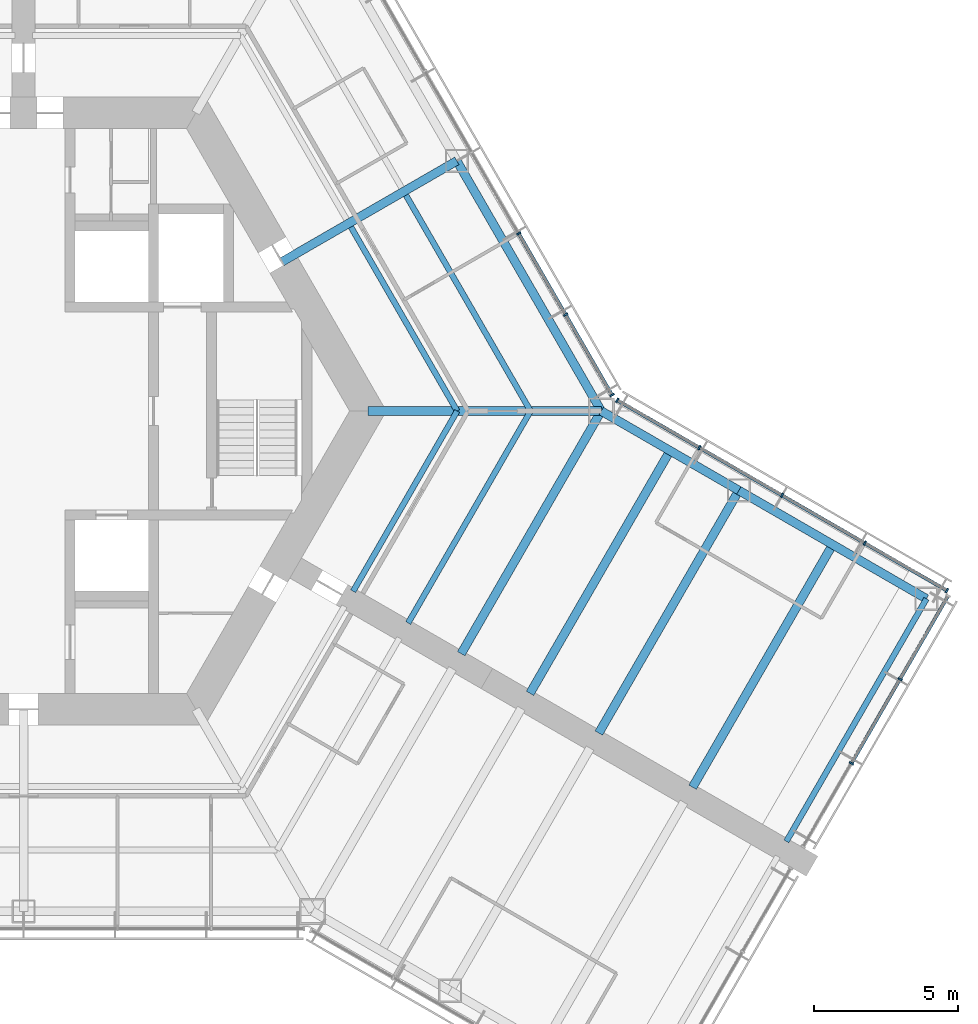
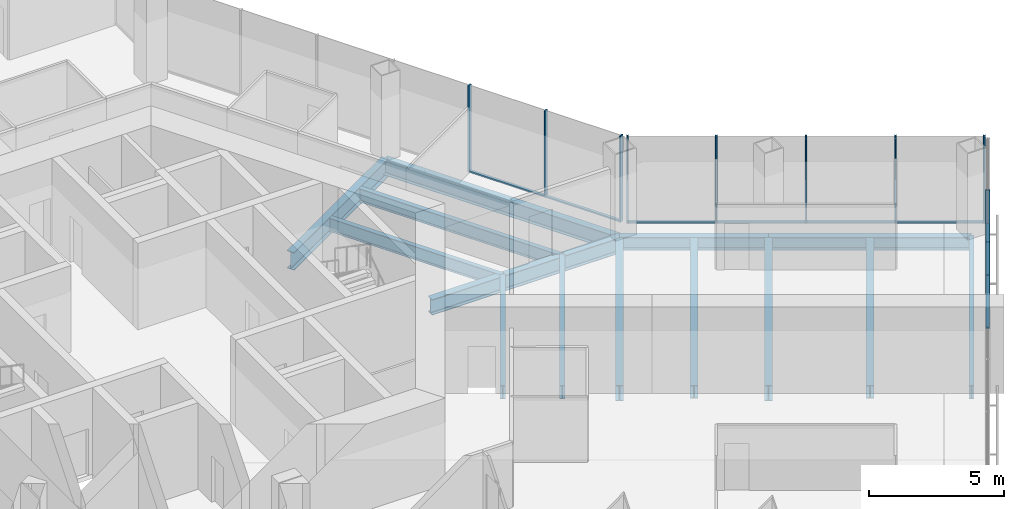
# One storey, part 6 of 19: 18 members, 14 beams, 3 elements without a shape of their own.
"""IFC4 building model written with IfcOpenShell, lengths in metres."""

import ifcopenshell
import ifcopenshell.guid

model = None  # the IFC model being written
_history = None  # IfcOwnerHistory: only IFC2X3 demands one
_inside = {}  # id of a spatial element -> (the spatial element, [elements in it])
_under = {}  # id of a project, library or spatial element -> (it, [spatial elements below it])
_declared = {}  # id of a project -> (the project, [libraries it declares])
_typed = {}  # id of a type object -> (the type object, [elements of that type])
_made_of = {}  # id of a material, layer set ... -> (it, [elements and type objects made of it])


def new_model(schema):
    """Start an empty IFC model of exactly this schema.

    Asked for "IFC4X3", IfcOpenShell would pick the latest addendum, in which some entities
    have other attributes; the version numbers below select the first issue.
    IFC2X3 requires an IfcOwnerHistory on every rooted entity: one is made here for all.
    """
    global model, _history
    if schema == "IFC4X3":
        model = ifcopenshell.file(schema_version=(4, 3, 0, 0))
    else:
        model = ifcopenshell.file(schema=schema)
    _inside.clear()
    _under.clear()
    _declared.clear()
    _typed.clear()
    _made_of.clear()
    _history = None
    if model.schema == "IFC2X3":
        org = make("IfcOrganization", Name="unknown")
        user = make(
            "IfcPersonAndOrganization",
            ThePerson=make("IfcPerson", FamilyName="unknown"),
            TheOrganization=org,
        )
        app = make(
            "IfcApplication",
            ApplicationDeveloper=org,
            Version="unknown",
            ApplicationFullName="unknown",
            ApplicationIdentifier="unknown",
        )
        _history = make(
            "IfcOwnerHistory",
            OwningUser=user,
            OwningApplication=app,
            ChangeAction="ADDED",
            CreationDate=0,
        )
    return model


def make(cls, **values):
    """One entity of the class cls with the attributes given. An attribute that is None is left unset."""
    return model.create_entity(
        cls, **{name: value for name, value in values.items() if value is not None}
    )


def rooted(cls, **values):
    """An entity with a GlobalId (a new one), such as an element, a storey or a relation."""
    return make(cls, GlobalId=ifcopenshell.guid.new(), OwnerHistory=_history, **values)


def si_unit(unit_type, name, prefix=None):
    """IfcSIUnit, for example si_unit("LENGTHUNIT", "METRE", prefix="MILLI")."""
    return make("IfcSIUnit", UnitType=unit_type, Prefix=prefix, Name=name)


def assignment(units):
    """IfcUnitAssignment: the units of a project."""
    return None if units is None else make("IfcUnitAssignment", Units=units)


def point(xyz):
    """IfcCartesianPoint."""
    return None if xyz is None else make("IfcCartesianPoint", Coordinates=xyz)


def direction(xyz):
    """IfcDirection."""
    return None if xyz is None else make("IfcDirection", DirectionRatios=xyz)


def frame(location, z_axis=None, x_axis=None):
    """IfcAxis2Placement3D, a coordinate frame: its origin and axes. An axis left out is left unset."""
    return make(
        "IfcAxis2Placement3D",
        Location=point(location),
        Axis=direction(z_axis),
        RefDirection=direction(x_axis),
    )


def frame_2d(location, x_axis=None):
    """IfcAxis2Placement2D, a coordinate frame in the plane: its origin and x axis."""
    return make(
        "IfcAxis2Placement2D", Location=point(location), RefDirection=direction(x_axis)
    )


def origin():
    """The frame at (0, 0, 0) with its axes left unset."""
    return frame((0.0, 0.0, 0.0))


def origin_2d():
    """The frame at (0, 0) in the plane with its x axis left unset."""
    return frame_2d((0.0, 0.0))


def place(relative_to, where):
    """IfcLocalPlacement: puts the frame where relative to a parent placement (None: the world)."""
    return make(
        "IfcLocalPlacement", PlacementRelTo=relative_to, RelativePlacement=where
    )


def context(
    kind, dimensions, precision=None, world=None, true_north=None, identifier=None
):
    """IfcGeometricRepresentationContext, for example the 3D "Model" context."""
    return make(
        "IfcGeometricRepresentationContext",
        ContextIdentifier=identifier,
        ContextType=kind,
        CoordinateSpaceDimension=dimensions,
        Precision=precision,
        WorldCoordinateSystem=world,
        TrueNorth=true_north,
    )


def subcontext(parent, identifier, kind, view, scale=None):
    """IfcGeometricRepresentationSubContext, for example "Body" below "Model"."""
    return make(
        "IfcGeometricRepresentationSubContext",
        ContextIdentifier=identifier,
        ContextType=kind,
        ParentContext=parent,
        TargetScale=scale,
        TargetView=view,
    )


def project(units=None, contexts=None):
    """IfcProject with its units and contexts."""
    return rooted(
        "IfcProject",
        Name="project",
        RepresentationContexts=contexts,
        UnitsInContext=assignment(units),
    )


def spatial(cls, under=None, at=None, **own):
    """A site, building, storey or space (cls), placed at a placement, below another one or the project."""
    s = rooted(cls, ObjectPlacement=at, **own)
    if under is not None:
        _under.setdefault(under.id(), (under, []))[1].append(s)
    return s


def profile(cls, at=None, kind="AREA", **sizes):
    """A parametric profile (cls). Its sizes go by their IFC names, for example OverallWidth=200.0."""
    return make(cls, ProfileType=kind, Position=at, **sizes)


def rectangle(**sizes):
    """IfcRectangleProfileDef."""
    return profile("IfcRectangleProfileDef", **sizes)


def i_section(**sizes):
    """IfcIShapeProfileDef."""
    return profile("IfcIShapeProfileDef", **sizes)


def extrude(swept, where, along, depth):
    """IfcExtrudedAreaSolid: the profile swept, set in the frame where, extruded along a direction by depth."""
    return make(
        "IfcExtrudedAreaSolid",
        SweptArea=swept,
        Position=where,
        ExtrudedDirection=direction(along),
        Depth=depth,
    )


def shape(context_of_items, identifier, shape_type, items):
    """IfcShapeRepresentation: the items that make up one representation, for example the "Body"."""
    return make(
        "IfcShapeRepresentation",
        ContextOfItems=context_of_items,
        RepresentationIdentifier=identifier,
        RepresentationType=shape_type,
        Items=items,
    )


def material(Name=None, Category=None):
    """IfcMaterial."""
    return make("IfcMaterial", Name=Name, Category=Category)


def material_profile(
    of_material, cross_section, Name=None, Category=None, Priority=None
):
    """IfcMaterialProfile: a cross section and its material."""
    return make(
        "IfcMaterialProfile",
        Name=Name,
        Material=of_material,
        Profile=cross_section,
        Priority=Priority,
        Category=Category,
    )


def profile_set(profiles, Name=None, composite=None):
    """IfcMaterialProfileSet."""
    return make(
        "IfcMaterialProfileSet",
        Name=Name,
        MaterialProfiles=profiles,
        CompositeProfile=composite,
    )


def made_of(thing, what):
    """Note that an element or type object is made of a material, layer set ...; save() writes the relation."""
    if what is not None:
        _made_of.setdefault(what.id(), (what, []))[1].append(thing)
    return thing


def type_object(cls, material=None, **own):
    """A type object (cls), such as IfcWallType, which elements share."""
    return made_of(rooted(cls, **own), material)


def element(
    cls,
    number,
    at=None,
    inside=None,
    cuts=None,
    type_object=None,
    material=None,
    context=None,
    identifier="Body",
    shape_type=None,
    held_by="IfcProductDefinitionShape",
    body=None,
    shapes=None,
    **own,
):
    """One element of the class cls, such as IfcWall. Its Tag is "e" and its number.

    at: its placement. inside: the storey or other place that contains it. cuts: it is an
    opening in that element (IfcRelVoidsElement). A single representation is given by context,
    identifier, shape_type and body (its items); several are given by shapes. held_by: the class
    of the entity that holds the representations. save() writes the other relations.
    """
    e = rooted(cls, Tag="e%d" % number, ObjectPlacement=at, **own)
    if body is not None:
        shapes = [shape(context, identifier, shape_type, body)]
    if shapes is not None:
        e.Representation = make(held_by, Representations=shapes)
    if inside is not None:
        _inside.setdefault(inside.id(), (inside, []))[1].append(e)
    if cuts is not None:
        rooted(
            "IfcRelVoidsElement", RelatingBuildingElement=cuts, RelatedOpeningElement=e
        )
    if type_object is not None:
        _typed.setdefault(type_object.id(), (type_object, []))[1].append(e)
    return made_of(e, material)


def aggregate(whole, parts):
    """IfcRelAggregates: a whole, such as a stair, and the parts it consists of."""
    return rooted("IfcRelAggregates", RelatingObject=whole, RelatedObjects=parts)


def save(model, path):
    """Write the relations noted so far, then the file.

    IfcRelAggregates (storeys below a building ...), IfcRelContainedInSpatialStructure (elements
    in a storey), IfcRelDefinesByType, IfcRelAssociatesMaterial and IfcRelDeclares: one each for
    every whole, place, type object, material and project.
    """
    for whole, parts in _under.values():
        aggregate(whole, parts)
    for where, things in _inside.values():
        rooted(
            "IfcRelContainedInSpatialStructure",
            RelatedElements=things,
            RelatingStructure=where,
        )
    for kind, things in _typed.values():
        rooted("IfcRelDefinesByType", RelatedObjects=things, RelatingType=kind)
    for what, things in _made_of.values():
        rooted("IfcRelAssociatesMaterial", RelatedObjects=things, RelatingMaterial=what)
    for by, libraries in _declared.values():
        rooted("IfcRelDeclares", RelatingContext=by, RelatedDefinitions=libraries)
    model.write(path)


model = new_model("IFC4")

# Units and contexts
model_context = context("Model", 3, precision=1e-05, world=origin(), true_north=direction((0.0, 1.0)))
body_context = subcontext(model_context, "Body", "Model", "MODEL_VIEW")
ifc_project = project(units=[si_unit("LENGTHUNIT", "METRE"), si_unit("AREAUNIT", "SQUARE_METRE"), si_unit("VOLUMEUNIT", "CUBIC_METRE"), si_unit("PLANEANGLEUNIT", "RADIAN"), si_unit("MASSUNIT", "GRAM", prefix="KILO")], contexts=[model_context])

# Site, building, storey
site_placement = place(None, origin())
site = spatial("IfcSite", under=ifc_project, at=site_placement, CompositionType="ELEMENT")
building_placement = place(site_placement, origin())
building = spatial("IfcBuilding", under=site, at=building_placement, Name="Kasaneha Research Tower", CompositionType="ELEMENT")
storey_placement = place(building_placement, frame((0.0, 0.0, 88.5)))
storey = spatial("IfcBuildingStorey", under=building, at=storey_placement, Name="L22", CompositionType="ELEMENT", Elevation=88.5)

# Beams
ifc_material_1 = material(Name="Steel SN490B", Category="steel")
ifc_material_profile_1 = material_profile(ifc_material_1, i_section(OverallWidth=0.199951171875, OverallDepth=0.60009765625, WebThickness=0.010986328125, FlangeThickness=0.01708984375, FilletRadius=0.012939453125, at=origin_2d()), Name="H-600x200x11x17")
ifc_profile_set_1 = profile_set([ifc_material_profile_1], Name="Steel SN490B")
beam_type_1 = type_object("IfcBeamType", Name="B1-3 secondary beam H-600x200x11x17", PredefinedType="JOIST", material=ifc_profile_set_1)
beam_1_placement = place(storey_placement, frame((15.010986328125, 0.0, -0.449951171875), z_axis=(-0.499994443168, 0.866028611999, 0.0), x_axis=(-0.866028611999, -0.499994443168, 0.0)))
element("IfcBeam", 1, at=beam_1_placement, inside=storey, type_object=beam_type_1, Name="Secondary beam RS030L1 L22", PredefinedType="JOIST", context=body_context, shape_type="SweptSolid", body=[
    extrude(i_section(OverallWidth=0.199951171875, OverallDepth=0.60009765625, WebThickness=0.010986328125, FlangeThickness=0.01708984375, FilletRadius=0.012939453125, at=origin_2d()), origin(), (0.0, 0.0, 1.0), 7.35546875),
])
beam_2_placement = place(storey_placement, frame((17.551513671875, 0.0, -0.449951171875), z_axis=(-0.5000050195, 0.866022505755, 0.0), x_axis=(-0.866022505755, -0.5000050195, 0.0)))
element("IfcBeam", 2, at=beam_2_placement, inside=storey, type_object=beam_type_1, Name="Secondary beam RS030L2 L22", PredefinedType="JOIST", context=body_context, shape_type="SweptSolid", body=[
    extrude(i_section(OverallWidth=0.199951171875, OverallDepth=0.60009765625, WebThickness=0.010986328125, FlangeThickness=0.01708984375, FilletRadius=0.012939453125, at=origin_2d()), origin(), (0.0, 0.0, 1.0), 8.6259765625),
])
beam_3_placement = place(storey_placement, frame((15.010986328125, 0.0, -0.449951171875), z_axis=(-0.499972735707, -0.866041144259, 0.0), x_axis=(0.866041144259, -0.499972735707, 0.0)))
element("IfcBeam", 3, at=beam_3_placement, inside=storey, type_object=beam_type_1, Name="Secondary beam RS330R1 L22", PredefinedType="JOIST", context=body_context, shape_type="SweptSolid", body=[
    extrude(i_section(OverallWidth=0.199951171875, OverallDepth=0.60009765625, WebThickness=0.010986328125, FlangeThickness=0.01708984375, FilletRadius=0.012939453125, at=origin_2d()), origin(), (0.0, 0.0, 1.0), 7.20556640625),
])
beam_4_placement = place(storey_placement, frame((17.551513671875, 0.0, -0.449951171875), z_axis=(-0.500020829043, -0.866013377797, 0.0), x_axis=(0.866013377797, -0.500020829043, 0.0)))
element("IfcBeam", 4, at=beam_4_placement, inside=storey, type_object=beam_type_1, Name="Secondary beam RS330R2 L22", PredefinedType="JOIST", context=body_context, shape_type="SweptSolid", body=[
    extrude(i_section(OverallWidth=0.199951171875, OverallDepth=0.60009765625, WebThickness=0.010986328125, FlangeThickness=0.01708984375, FilletRadius=0.012939453125, at=origin_2d()), origin(), (0.0, 0.0, 1.0), 8.475830078125),
])
ifc_material_2 = material(Name="Steel SN490B", Category="steel")
ifc_material_profile_2 = material_profile(ifc_material_2, i_section(OverallWidth=0.300048828125, OverallDepth=0.58203125, WebThickness=0.011962890625, FlangeThickness=0.01708984375, FilletRadius=0.012939453125, at=origin_2d()), Name="H-582x300x12x17")
ifc_profile_set_2 = profile_set([ifc_material_profile_2], Name="Steel SN490B")
beam_type_2 = type_object("IfcBeamType", Name="B2-3 secondary beam H-582x300x12x17", PredefinedType="JOIST", material=ifc_profile_set_2)
for number, where, z_axis, x_axis, name in (
    (5, (22.381591796875, -1.375, -0.44091796875), (-0.500010041276, -0.866019606374, 0.0), (0.866019606374, -0.500010041276, 0.0), "Secondary beam WBCN1 L22"),
    (6, (28.0107421875, -4.625, -0.44091796875), (-0.500010041276, -0.866019606374, 0.0), (0.866019606374, -0.500010041276, 0.0), "Secondary beam WBCN2 L22"),
):
    element("IfcBeam", number, at=place(storey_placement, frame(where, z_axis=z_axis, x_axis=x_axis)), inside=storey, type_object=beam_type_2, Name=name, PredefinedType="JOIST", context=body_context, shape_type="SweptSolid", body=[
        extrude(i_section(OverallWidth=0.300048828125, OverallDepth=0.58203125, WebThickness=0.011962890625, FlangeThickness=0.01708984375, FilletRadius=0.012939453125, at=origin_2d()), origin(), (0.0, 0.0, 1.0), 9.699951171875),
    ])

# Curtain wall, members
ifc_material_3 = material(Name="Glass and aluminium", Category="aluminium")
curtain_wall_type = type_object("IfcCurtainWallType", Name="Low-rise office curtain wall", PredefinedType="USERDEFINED", material=ifc_material_3)
curtain_wall_1_placement = place(storey_placement, origin())
curtain_wall_1 = element("IfcCurtainWall", 7, at=curtain_wall_1_placement, inside=storey, type_object=curtain_wall_type, Name="CW-O1 L22 run 05a", ObjectType="UNITISED CURTAIN WALL", PredefinedType="USERDEFINED")
ifc_material_4 = material(Name="Aluminium 6063-T6", Category="aluminium")
ifc_material_profile_3 = material_profile(ifc_material_4, rectangle(XDim=0.06005859375, YDim=0.159912109375, at=origin_2d()), Name="CW-O1 mullion 60x160")
ifc_profile_set_3 = profile_set([ifc_material_profile_3], Name="Aluminium 6063-T6")
member_type_1 = type_object("IfcMemberType", Name="CW-O1 mullion", PredefinedType="MULLION", material=ifc_profile_set_3)
member_1_placement = place(storey_placement, frame((28.661376953125, -12.1982421875, 0.0), z_axis=(0.0, 0.0, 1.0), x_axis=(0.500000011442, 0.866025397178, 0.0)))
member_1 = element("IfcMember", 8, at=member_1_placement, type_object=member_type_1, Name="CW-O1 mullion 2", PredefinedType="MULLION", context=body_context, shape_type="SweptSolid", body=[
    extrude(rectangle(XDim=0.06005859375, YDim=0.159912109375, at=origin_2d()), origin(), (0.0, 0.0, 1.0), 3.89990234375),
])
member_2_placement = place(storey_placement, frame((30.3447265625, -9.28271484375, 0.0), z_axis=(0.0, 0.0, 1.0), x_axis=(0.500000011442, 0.866025397178, 0.0)))
member_2 = element("IfcMember", 9, at=member_2_placement, type_object=member_type_1, Name="CW-O1 mullion 3", PredefinedType="MULLION", context=body_context, shape_type="SweptSolid", body=[
    extrude(rectangle(XDim=0.06005859375, YDim=0.159912109375, at=origin_2d()), origin(), (0.0, 0.0, 1.0), 3.89990234375),
])

curtain_wall_2_placement = place(storey_placement, origin())
curtain_wall_2 = element("IfcCurtainWall", 10, at=curtain_wall_2_placement, inside=storey, type_object=curtain_wall_type, Name="CW-O1 L22 run 06a", ObjectType="UNITISED CURTAIN WALL", PredefinedType="USERDEFINED")
member_3_placement = place(storey_placement, frame((31.96533203125, -6.21533203125, 0.0), z_axis=(0.0, 0.0, 1.0), x_axis=(-0.866025411464, 0.499999986699, 0.0)))
member_3 = element("IfcMember", 11, at=member_3_placement, type_object=member_type_1, Name="CW-O1 mullion 1", PredefinedType="MULLION", context=body_context, shape_type="SweptSolid", body=[
    extrude(rectangle(XDim=0.06005859375, YDim=0.159912109375, at=origin_2d()), origin(), (0.0, 0.0, 1.0), 3.89990234375),
])
member_4_placement = place(storey_placement, frame((29.125, -4.575439453125, 0.0), z_axis=(0.0, 0.0, 1.0), x_axis=(-0.866025411464, 0.499999986699, 0.0)))
member_4 = element("IfcMember", 12, at=member_4_placement, type_object=member_type_1, Name="CW-O1 mullion 2", PredefinedType="MULLION", context=body_context, shape_type="SweptSolid", body=[
    extrude(rectangle(XDim=0.06005859375, YDim=0.159912109375, at=origin_2d()), origin(), (0.0, 0.0, 1.0), 3.89990234375),
])
member_5_placement = place(storey_placement, frame((26.258544921875, -2.920654296875, 0.0), z_axis=(0.0, 0.0, 1.0), x_axis=(-0.866025411464, 0.499999986699, 0.0)))
member_5 = element("IfcMember", 13, at=member_5_placement, type_object=member_type_1, Name="CW-O1 mullion 3", PredefinedType="MULLION", context=body_context, shape_type="SweptSolid", body=[
    extrude(rectangle(XDim=0.06005859375, YDim=0.159912109375, at=origin_2d()), origin(), (0.0, 0.0, 1.0), 3.89990234375),
])
member_6_placement = place(storey_placement, frame((23.39208984375, -1.265625, 0.0), z_axis=(0.0, 0.0, 1.0), x_axis=(-0.866025411464, 0.499999986699, 0.0)))
member_6 = element("IfcMember", 14, at=member_6_placement, type_object=member_type_1, Name="CW-O1 mullion 4", PredefinedType="MULLION", context=body_context, shape_type="SweptSolid", body=[
    extrude(rectangle(XDim=0.06005859375, YDim=0.159912109375, at=origin_2d()), origin(), (0.0, 0.0, 1.0), 3.89990234375),
])
member_7_placement = place(storey_placement, frame((20.5517578125, 0.374267578125, 0.0), z_axis=(0.0, 0.0, 1.0), x_axis=(-0.866025411464, 0.499999986699, 0.0)))
member_7 = element("IfcMember", 15, at=member_7_placement, type_object=member_type_1, Name="CW-O1 mullion 5", PredefinedType="MULLION", context=body_context, shape_type="SweptSolid", body=[
    extrude(rectangle(XDim=0.06005859375, YDim=0.159912109375, at=origin_2d()), origin(), (0.0, 0.0, 1.0), 3.89990234375),
])

curtain_wall_3_placement = place(storey_placement, origin())
curtain_wall_3 = element("IfcCurtainWall", 16, at=curtain_wall_3_placement, inside=storey, type_object=curtain_wall_type, Name="CW-O1 L22 run 07a", ObjectType="UNITISED CURTAIN WALL", PredefinedType="USERDEFINED")
member_8_placement = place(storey_placement, frame((20.374267578125, 0.5517578125, 0.0), z_axis=(0.0, 0.0, 1.0), x_axis=(-0.49999996188, 0.866025425793, 0.0)))
member_8 = element("IfcMember", 17, at=member_8_placement, type_object=member_type_1, Name="CW-O1 mullion 1", PredefinedType="MULLION", context=body_context, shape_type="SweptSolid", body=[
    extrude(rectangle(XDim=0.06005859375, YDim=0.159912109375, at=origin_2d()), origin(), (0.0, 0.0, 1.0), 3.89990234375),
])
member_9_placement = place(storey_placement, frame((18.76611328125, 3.33740234375, 0.0), z_axis=(0.0, 0.0, 1.0), x_axis=(-0.49999996188, 0.866025425793, 0.0)))
member_9 = element("IfcMember", 18, at=member_9_placement, type_object=member_type_1, Name="CW-O1 mullion 2", PredefinedType="MULLION", context=body_context, shape_type="SweptSolid", body=[
    extrude(rectangle(XDim=0.06005859375, YDim=0.159912109375, at=origin_2d()), origin(), (0.0, 0.0, 1.0), 3.89990234375),
])
member_10_placement = place(storey_placement, frame((17.142822265625, 6.148681640625, 0.0), z_axis=(0.0, 0.0, 1.0), x_axis=(-0.49999996188, 0.866025425793, 0.0)))
member_10 = element("IfcMember", 19, at=member_10_placement, type_object=member_type_1, Name="CW-O1 mullion 3", PredefinedType="MULLION", context=body_context, shape_type="SweptSolid", body=[
    extrude(rectangle(XDim=0.06005859375, YDim=0.159912109375, at=origin_2d()), origin(), (0.0, 0.0, 1.0), 3.89990234375),
])

# Member
ifc_material_5 = material(Name="Aluminium 6063-T6", Category="aluminium")
ifc_material_profile_4 = material_profile(ifc_material_5, rectangle(XDim=0.1201171875, YDim=0.06005859375, at=origin_2d()), Name="CW-O1 transom 120x60")
ifc_profile_set_4 = profile_set([ifc_material_profile_4], Name="Aluminium 6063-T6")
member_type_2 = type_object("IfcMemberType", Name="CW-O1 transom", PredefinedType="USERDEFINED", material=ifc_profile_set_4)
member_11_placement = place(storey_placement, frame((28.67626953125, -12.17236328125, 0.030029296875), z_axis=(0.499982354831, 0.866035590988, 0.0), x_axis=(-0.866035590988, 0.499982354831, 0.0)))
member_11 = element("IfcMember", 20, at=member_11_placement, type_object=member_type_2, Name="CW-O1 transom 2", ObjectType="TRANSOM", PredefinedType="USERDEFINED", context=body_context, shape_type="SweptSolid", body=[
    extrude(rectangle(XDim=0.1201171875, YDim=0.06005859375, at=origin_2d()), origin(), (0.0, 0.0, 1.0), 3.306640625),
])

member_12_placement = place(storey_placement, frame((30.359619140625, -9.256591796875, 0.030029296875), z_axis=(0.500025583411, 0.866010632691, 0.0), x_axis=(-0.866010632691, 0.500025583411, 0.0)))
member_12 = element("IfcMember", 21, at=member_12_placement, type_object=member_type_2, Name="CW-O1 transom 3", ObjectType="TRANSOM", PredefinedType="USERDEFINED", context=body_context, shape_type="SweptSolid", body=[
    extrude(rectangle(XDim=0.1201171875, YDim=0.06005859375, at=origin_2d()), origin(), (0.0, 0.0, 1.0), 3.276611328125),
])

aggregate(curtain_wall_1, [member_1, member_2, member_11, member_12])

member_13_placement = place(storey_placement, frame((31.939453125, -6.200439453125, 0.030029296875), z_axis=(-0.866041647767, 0.499971863542, 0.0), x_axis=(-0.499971863542, -0.866041647767, 0.0)))
member_13 = element("IfcMember", 22, at=member_13_placement, type_object=member_type_2, Name="CW-O1 transom 1", ObjectType="TRANSOM", PredefinedType="USERDEFINED", context=body_context, shape_type="SweptSolid", body=[
    extrude(rectangle(XDim=0.1201171875, YDim=0.06005859375, at=origin_2d()), origin(), (0.0, 0.0, 1.0), 3.219970703125),
])

member_14_placement = place(storey_placement, frame((29.098876953125, -4.560546875, 0.030029296875), z_axis=(-0.86599666273, 0.500049777664, 0.0), x_axis=(-0.500049777664, -0.86599666273, 0.0)))
member_14 = element("IfcMember", 23, at=member_14_placement, type_object=member_type_2, Name="CW-O1 transom 2", ObjectType="TRANSOM", PredefinedType="USERDEFINED", context=body_context, shape_type="SweptSolid", body=[
    extrude(rectangle(XDim=0.1201171875, YDim=0.06005859375, at=origin_2d()), origin(), (0.0, 0.0, 1.0), 3.249755859375),
])

member_15_placement = place(storey_placement, frame((26.232666015625, -2.905517578125, 0.030029296875), z_axis=(-0.86604797581, 0.499960902066, 0.0), x_axis=(-0.499960902066, -0.86604797581, 0.0)))
member_15 = element("IfcMember", 24, at=member_15_placement, type_object=member_type_2, Name="CW-O1 transom 3", ObjectType="TRANSOM", PredefinedType="USERDEFINED", context=body_context, shape_type="SweptSolid", body=[
    extrude(rectangle(XDim=0.1201171875, YDim=0.06005859375, at=origin_2d()), origin(), (0.0, 0.0, 1.0), 3.249755859375),
])

member_16_placement = place(storey_placement, frame((23.3662109375, -1.250732421875, 0.030029296875), z_axis=(-0.866022692473, 0.500004696101, 0.0), x_axis=(-0.500004696101, -0.866022692473, 0.0)))
member_16 = element("IfcMember", 25, at=member_16_placement, type_object=member_type_2, Name="CW-O1 transom 4", ObjectType="TRANSOM", PredefinedType="USERDEFINED", context=body_context, shape_type="SweptSolid", body=[
    extrude(rectangle(XDim=0.1201171875, YDim=0.06005859375, at=origin_2d()), origin(), (0.0, 0.0, 1.0), 3.2197265625),
])

aggregate(curtain_wall_2, [member_3, member_4, member_5, member_6, member_7, member_13, member_14, member_15, member_16])

member_17_placement = place(storey_placement, frame((20.359130859375, 0.577880859375, 0.030029296875), z_axis=(-0.499999210213, 0.866025859768, 0.0), x_axis=(-0.866025859768, -0.499999210213, 0.0)))
member_17 = element("IfcMember", 26, at=member_17_placement, type_object=member_type_2, Name="CW-O1 transom 1", ObjectType="TRANSOM", PredefinedType="USERDEFINED", context=body_context, shape_type="SweptSolid", body=[
    extrude(rectangle(XDim=0.1201171875, YDim=0.06005859375, at=origin_2d()), origin(), (0.0, 0.0, 1.0), 3.15625),
])

member_18_placement = place(storey_placement, frame((18.7509765625, 3.36328125, 0.030029296875), z_axis=(-0.500012062035, 0.866018439653, 0.0), x_axis=(-0.866018439653, -0.500012062035, 0.0)))
member_18 = element("IfcMember", 27, at=member_18_placement, type_object=member_type_2, Name="CW-O1 transom 2", ObjectType="TRANSOM", PredefinedType="USERDEFINED", context=body_context, shape_type="SweptSolid", body=[
    extrude(rectangle(XDim=0.1201171875, YDim=0.06005859375, at=origin_2d()), origin(), (0.0, 0.0, 1.0), 3.1865234375),
])

aggregate(curtain_wall_3, [member_8, member_9, member_10, member_17, member_18])

# Beams
ifc_material_6 = material(Name="Steel SN490B", Category="steel")
ifc_material_profile_5 = material_profile(ifc_material_6, i_section(OverallWidth=0.300048828125, OverallDepth=0.699951171875, WebThickness=0.012939453125, FlangeThickness=0.02392578125, FilletRadius=0.01806640625, at=origin_2d()), Name="H-700x300x13x24")
ifc_profile_set_5 = profile_set([ifc_material_profile_5], Name="Steel SN490B")
beam_type_3 = type_object("IfcBeamType", Name="G1-3 radial girder H-700x300x13x24", PredefinedType="BEAM", material=ifc_profile_set_5)
beam_5_placement = place(storey_placement, frame((11.92236328125, 0.0, -0.5), z_axis=(1.0, 0.0, 0.0), x_axis=(0.0, 1.0, 0.0)))
element("IfcBeam", 28, at=beam_5_placement, inside=storey, type_object=beam_type_3, Name="Radial girder RV000 L22", PredefinedType="BEAM", context=body_context, shape_type="SweptSolid", body=[
    extrude(i_section(OverallWidth=0.300048828125, OverallDepth=0.699951171875, WebThickness=0.012939453125, FlangeThickness=0.02392578125, FilletRadius=0.01806640625, at=origin_2d()), origin(), (0.0, 0.0, 1.0), 8.07763671875),
])
ifc_material_7 = material(Name="Steel SN490B", Category="steel")
ifc_material_profile_6 = material_profile(ifc_material_7, i_section(OverallWidth=0.300048828125, OverallDepth=0.800048828125, WebThickness=0.013916015625, FlangeThickness=0.02587890625, FilletRadius=0.01806640625, at=origin_2d()), Name="H-800x300x14x26")
ifc_profile_set_6 = profile_set([ifc_material_profile_6], Name="Steel SN490B")
beam_type_4 = type_object("IfcBeamType", Name="G2-3 radial girder H-800x300x14x26", PredefinedType="BEAM", material=ifc_profile_set_6)
beam_6_placement = place(storey_placement, frame((8.941650390625, 5.16259765625, -0.550048828125), z_axis=(0.866039713508, 0.499975214012, 0.0), x_axis=(-0.499975214012, 0.866039713508, 0.0)))
element("IfcBeam", 29, at=beam_6_placement, inside=storey, type_object=beam_type_4, Name="Radial girder RM030 L22", PredefinedType="BEAM", context=body_context, shape_type="SweptSolid", body=[
    extrude(i_section(OverallWidth=0.300048828125, OverallDepth=0.800048828125, WebThickness=0.013916015625, FlangeThickness=0.02587890625, FilletRadius=0.01806640625, at=origin_2d()), origin(), (0.0, 0.0, 1.0), 6.995361328125),
])
ifc_material_8 = material(Name="Steel SN490B", Category="steel")
ifc_material_profile_7 = material_profile(ifc_material_8, i_section(OverallWidth=0.300048828125, OverallDepth=0.69189453125, WebThickness=0.012939453125, FlangeThickness=0.02001953125, FilletRadius=0.01806640625, at=origin_2d()), Name="H-692x300x13x20")
ifc_profile_set_7 = profile_set([ifc_material_profile_7], Name="Steel SN490B")
beam_type_5 = type_object("IfcBeamType", Name="G3-3 plate edge girder H-692x300x13x20", PredefinedType="BEAM", material=ifc_profile_set_7)
beam_7_placement = place(storey_placement, frame((20.0, 0.0, -0.49609375), z_axis=(-0.500010041276, -0.866019606374, 0.0), x_axis=(0.866019606374, -0.500010041276, 0.0)))
element("IfcBeam", 30, at=beam_7_placement, inside=storey, type_object=beam_type_5, Name="Plate edge girder PECN L22", PredefinedType="BEAM", context=body_context, shape_type="SweptSolid", body=[
    extrude(i_section(OverallWidth=0.300048828125, OverallDepth=0.69189453125, WebThickness=0.012939453125, FlangeThickness=0.02001953125, FilletRadius=0.01806640625, at=origin_2d()), origin(), (0.0, 0.0, 1.0), 9.699951171875),
])
ifc_material_9 = material(Name="Steel SN490B", Category="steel")
ifc_material_profile_8 = material_profile(ifc_material_9, i_section(OverallWidth=0.300048828125, OverallDepth=0.699951171875, WebThickness=0.012939453125, FlangeThickness=0.02392578125, FilletRadius=0.01806640625, at=origin_2d()), Name="H-700x300x13x24")
ifc_profile_set_8 = profile_set([ifc_material_profile_8], Name="Steel SN490B")
beam_type_6 = type_object("IfcBeamType", Name="G4-3 wing girder H-700x300x13x24", PredefinedType="BEAM", material=ifc_profile_set_8)
beam_8_placement = place(storey_placement, frame((24.76318359375, -2.75, -0.5), z_axis=(-0.500010041276, -0.866019606374, 0.0), x_axis=(0.866019606374, -0.500010041276, 0.0)))
element("IfcBeam", 31, at=beam_8_placement, inside=storey, type_object=beam_type_6, Name="Wing girder WGCN L22", PredefinedType="BEAM", context=body_context, shape_type="SweptSolid", body=[
    extrude(i_section(OverallWidth=0.300048828125, OverallDepth=0.699951171875, WebThickness=0.012939453125, FlangeThickness=0.02392578125, FilletRadius=0.01806640625, at=origin_2d()), origin(), (0.0, 0.0, 1.0), 9.699951171875),
])
ifc_material_10 = material(Name="Steel SN490B", Category="steel")
ifc_material_profile_9 = material_profile(ifc_material_10, i_section(OverallWidth=0.300048828125, OverallDepth=0.69189453125, WebThickness=0.012939453125, FlangeThickness=0.02001953125, FilletRadius=0.01806640625, at=origin_2d()), Name="H-692x300x13x20")
ifc_profile_set_9 = profile_set([ifc_material_profile_9], Name="Steel SN490B")
beam_type_7 = type_object("IfcBeamType", Name="SB1-3 spandrel beam H-692x300x13x20", PredefinedType="SPANDREL", material=ifc_profile_set_9)
beam_9_placement = place(storey_placement, frame((20.0, 0.0, -0.49609375), z_axis=(-0.500004234368, 0.866022959057, 0.0), x_axis=(-0.866022959057, -0.500004234368, 0.0)))
element("IfcBeam", 32, at=beam_9_placement, inside=storey, type_object=beam_type_7, Name="Spandrel beam SR030L L22", PredefinedType="SPANDREL", context=body_context, shape_type="SweptSolid", body=[
    extrude(i_section(OverallWidth=0.300048828125, OverallDepth=0.69189453125, WebThickness=0.012939453125, FlangeThickness=0.02001953125, FilletRadius=0.01806640625, at=origin_2d()), origin(), (0.0, 0.0, 1.0), 10.0),
])
ifc_material_11 = material(Name="Steel SN490B", Category="steel")
ifc_material_profile_10 = material_profile(ifc_material_11, i_section(OverallWidth=0.300048828125, OverallDepth=0.58203125, WebThickness=0.011962890625, FlangeThickness=0.01708984375, FilletRadius=0.012939453125, at=origin_2d()), Name="H-582x300x12x17")
ifc_profile_set_10 = profile_set([ifc_material_profile_10], Name="Steel SN490B")
beam_type_8 = type_object("IfcBeamType", Name="SB2-3 spandrel beam H-582x300x12x17", PredefinedType="SPANDREL", material=ifc_profile_set_10)
beam_10_placement = place(storey_placement, frame((20.0, 0.0, -0.44091796875), z_axis=(0.866027397988, -0.499996545922, 0.0), x_axis=(0.499996545922, 0.866027397988, 0.0)))
element("IfcBeam", 33, at=beam_10_placement, inside=storey, type_object=beam_type_8, Name="Spandrel beam WSCN1 L22", PredefinedType="SPANDREL", context=body_context, shape_type="SweptSolid", body=[
    extrude(i_section(OverallWidth=0.300048828125, OverallDepth=0.58203125, WebThickness=0.011962890625, FlangeThickness=0.01708984375, FilletRadius=0.012939453125, at=origin_2d()), origin(), (0.0, 0.0, 1.0), 5.5),
])
beam_11_placement = place(storey_placement, frame((24.76318359375, -2.75, -0.44091796875), z_axis=(0.866022959057, -0.500004234368, 0.0), x_axis=(0.500004234368, 0.866022959057, 0.0)))
element("IfcBeam", 34, at=beam_11_placement, inside=storey, type_object=beam_type_8, Name="Spandrel beam WSCN2 L22", PredefinedType="SPANDREL", context=body_context, shape_type="SweptSolid", body=[
    extrude(i_section(OverallWidth=0.300048828125, OverallDepth=0.58203125, WebThickness=0.011962890625, FlangeThickness=0.01708984375, FilletRadius=0.012939453125, at=origin_2d()), origin(), (0.0, 0.0, 1.0), 7.5),
])
ifc_material_12 = material(Name="Steel SN490B", Category="steel")
ifc_material_profile_11 = material_profile(ifc_material_12, i_section(OverallWidth=0.199951171875, OverallDepth=0.60009765625, WebThickness=0.010986328125, FlangeThickness=0.01708984375, FilletRadius=0.012939453125, at=origin_2d()), Name="H-600x200x11x17")
ifc_profile_set_11 = profile_set([ifc_material_profile_11], Name="Steel SN490B")
beam_type_9 = type_object("IfcBeamType", Name="SB3-3 spandrel beam H-600x200x11x17", PredefinedType="SPANDREL", material=ifc_profile_set_11)
beam_12_placement = place(storey_placement, frame((31.25830078125, -6.5, -0.449951171875), z_axis=(-0.499991164321, -0.866030505006, 0.0), x_axis=(0.866030505006, -0.499991164321, 0.0)))
element("IfcBeam", 35, at=beam_12_placement, inside=storey, type_object=beam_type_9, Name="Spandrel beam WTCN L22", PredefinedType="SPANDREL", context=body_context, shape_type="SweptSolid", body=[
    extrude(i_section(OverallWidth=0.199951171875, OverallDepth=0.60009765625, WebThickness=0.010986328125, FlangeThickness=0.01708984375, FilletRadius=0.012939453125, at=origin_2d()), origin(), (0.0, 0.0, 1.0), 9.699951171875),
])

save(model, "model.ifc")
